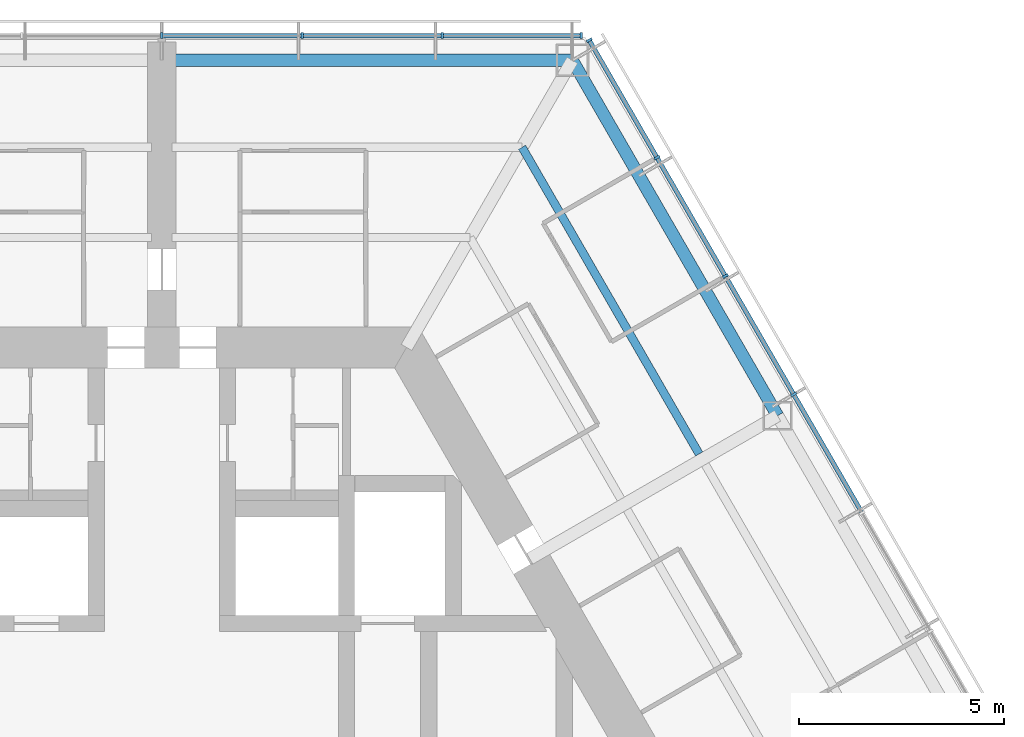
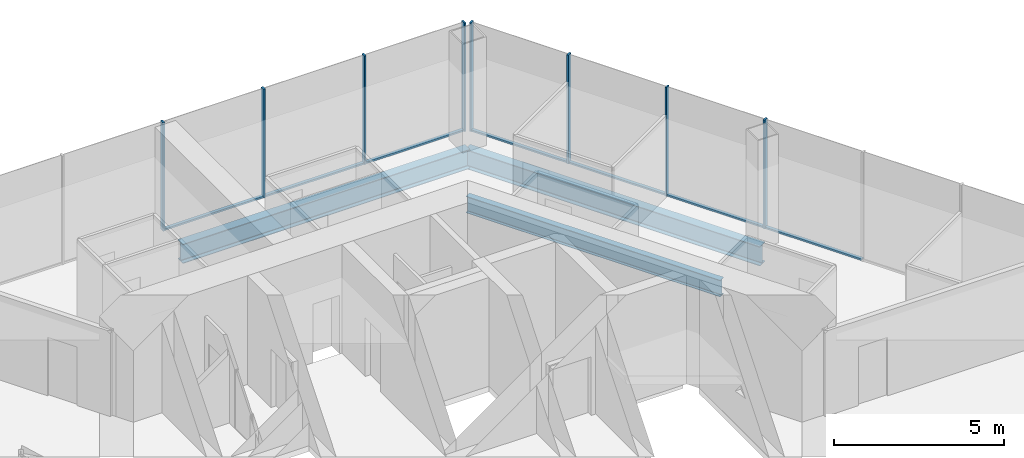
# One storey, part 8 of 19: 15 members, 3 beams, 2 elements without a shape of their own.
"""IFC4 building model written with IfcOpenShell, lengths in metres."""

from ifc_helpers import new_model, si_unit, direction, frame, origin, origin_2d, place, context, subcontext, project, spatial, rectangle, i_section, extrude, material, material_profile, profile_set, type_object, element, aggregate, save


model = new_model("IFC4")

# Units and contexts
model_context = context("Model", 3, precision=1e-05, world=origin(), true_north=direction((0.0, 1.0)))
body_context = subcontext(model_context, "Body", "Model", "MODEL_VIEW")
ifc_project = project(units=[si_unit("LENGTHUNIT", "METRE"), si_unit("AREAUNIT", "SQUARE_METRE"), si_unit("VOLUMEUNIT", "CUBIC_METRE"), si_unit("PLANEANGLEUNIT", "RADIAN"), si_unit("MASSUNIT", "GRAM", prefix="KILO")], contexts=[model_context])

# Site, building, storey
site_placement = place(None, origin())
site = spatial("IfcSite", under=ifc_project, at=site_placement, CompositionType="ELEMENT")
building_placement = place(site_placement, origin())
building = spatial("IfcBuilding", under=site, at=building_placement, Name="Kasaneha Research Tower", CompositionType="ELEMENT")
storey_placement = place(building_placement, frame((0.0, 0.0, 160.39990234375)))
storey = spatial("IfcBuildingStorey", under=building, at=storey_placement, Name="L40", CompositionType="ELEMENT", Elevation=160.39990234375)

# Beam
ifc_material_1 = material(Name="Steel SN490B", Category="steel")
ifc_material_profile_1 = material_profile(ifc_material_1, i_section(OverallWidth=0.199951171875, OverallDepth=0.60009765625, WebThickness=0.010986328125, FlangeThickness=0.01708984375, FilletRadius=0.012939453125, at=origin_2d()), Name="H-600x200x11x17")
ifc_profile_set_1 = profile_set([ifc_material_profile_1], Name="Steel SN490B")
beam_type_1 = type_object("IfcBeamType", Name="B1-3 secondary beam H-600x200x11x17", PredefinedType="JOIST", material=ifc_profile_set_1)
beam_1_placement = place(storey_placement, frame((8.775634765625, 15.199951171875, -0.449951171875), z_axis=(0.500017275495, -0.866015429543, 0.0), x_axis=(0.866015429543, 0.500017275495, 0.0)))
element("IfcBeam", 1, at=beam_1_placement, inside=storey, type_object=beam_type_1, Name="Secondary beam RS030R2 L40", PredefinedType="JOIST", context=body_context, shape_type="SweptSolid", body=[
    extrude(i_section(OverallWidth=0.199951171875, OverallDepth=0.60009765625, WebThickness=0.010986328125, FlangeThickness=0.01708984375, FilletRadius=0.012939453125, at=origin_2d()), origin(), (0.0, 0.0, 1.0), 8.625732421875),
])

# Curtain wall, members
ifc_material_2 = material(Name="Glass and aluminium", Category="aluminium")
curtain_wall_type = type_object("IfcCurtainWallType", Name="Mid-rise office curtain wall", PredefinedType="USERDEFINED", material=ifc_material_2)
curtain_wall_1_placement = place(storey_placement, origin())
curtain_wall_1 = element("IfcCurtainWall", 2, at=curtain_wall_1_placement, inside=storey, type_object=curtain_wall_type, Name="CW-O2 L40 run 06a", ObjectType="UNITISED CURTAIN WALL", PredefinedType="USERDEFINED")
ifc_material_3 = material(Name="Aluminium 6063-T6", Category="aluminium")
ifc_material_profile_2 = material_profile(ifc_material_3, rectangle(XDim=0.06005859375, YDim=0.14990234375, at=origin_2d()), Name="CW-O2 mullion 60x150")
ifc_profile_set_2 = profile_set([ifc_material_profile_2], Name="Aluminium 6063-T6")
member_type_1 = type_object("IfcMemberType", Name="CW-O2 mullion", PredefinedType="MULLION", material=ifc_profile_set_2)
member_1_placement = place(storey_placement, frame((15.392822265625, 9.179931640625, 0.0), z_axis=(0.0, 0.0, 1.0), x_axis=(-0.499999979232, 0.866025415775, 0.0)))
member_1 = element("IfcMember", 3, at=member_1_placement, type_object=member_type_1, Name="CW-O2 mullion 4", PredefinedType="MULLION", context=body_context, shape_type="SweptSolid", body=[
    extrude(rectangle(XDim=0.06005859375, YDim=0.14990234375, at=origin_2d()), origin(), (0.0, 0.0, 1.0), 3.900146484375),
])
member_2_placement = place(storey_placement, frame((13.727294921875, 12.064453125, 0.0), z_axis=(0.0, 0.0, 1.0), x_axis=(-0.499999979232, 0.866025415775, 0.0)))
member_2 = element("IfcMember", 4, at=member_2_placement, type_object=member_type_1, Name="CW-O2 mullion 5", PredefinedType="MULLION", context=body_context, shape_type="SweptSolid", body=[
    extrude(rectangle(XDim=0.06005859375, YDim=0.14990234375, at=origin_2d()), origin(), (0.0, 0.0, 1.0), 3.900146484375),
])
member_3_placement = place(storey_placement, frame((12.061767578125, 14.94921875, 0.0), z_axis=(0.0, 0.0, 1.0), x_axis=(-0.499999979232, 0.866025415775, 0.0)))
member_3 = element("IfcMember", 5, at=member_3_placement, type_object=member_type_1, Name="CW-O2 mullion 6", PredefinedType="MULLION", context=body_context, shape_type="SweptSolid", body=[
    extrude(rectangle(XDim=0.06005859375, YDim=0.14990234375, at=origin_2d()), origin(), (0.0, 0.0, 1.0), 3.900146484375),
])
member_4_placement = place(storey_placement, frame((10.411376953125, 17.807861328125, 0.0), z_axis=(0.0, 0.0, 1.0), x_axis=(-0.499999979232, 0.866025415775, 0.0)))
member_4 = element("IfcMember", 6, at=member_4_placement, type_object=member_type_1, Name="CW-O2 mullion 7", PredefinedType="MULLION", context=body_context, shape_type="SweptSolid", body=[
    extrude(rectangle(XDim=0.06005859375, YDim=0.14990234375, at=origin_2d()), origin(), (0.0, 0.0, 1.0), 3.900146484375),
])

curtain_wall_2_placement = place(storey_placement, origin())
curtain_wall_2 = element("IfcCurtainWall", 7, at=curtain_wall_2_placement, inside=storey, type_object=curtain_wall_type, Name="CW-O2 L40 run 07a", ObjectType="UNITISED CURTAIN WALL", PredefinedType="USERDEFINED")
member_5_placement = place(storey_placement, frame((10.21630859375, 17.92041015625, 0.0), z_axis=(0.0, 0.0, 1.0), x_axis=(-1.0, 0.0, 0.0)))
member_5 = element("IfcMember", 8, at=member_5_placement, type_object=member_type_1, Name="CW-O2 mullion 1", PredefinedType="MULLION", context=body_context, shape_type="SweptSolid", body=[
    extrude(rectangle(XDim=0.06005859375, YDim=0.14990234375, at=origin_2d()), origin(), (0.0, 0.0, 1.0), 3.900146484375),
])
member_6_placement = place(storey_placement, frame((6.8310546875, 17.92041015625, 0.0), z_axis=(0.0, 0.0, 1.0), x_axis=(-1.0, 0.0, 0.0)))
member_6 = element("IfcMember", 9, at=member_6_placement, type_object=member_type_1, Name="CW-O2 mullion 2", PredefinedType="MULLION", context=body_context, shape_type="SweptSolid", body=[
    extrude(rectangle(XDim=0.06005859375, YDim=0.14990234375, at=origin_2d()), origin(), (0.0, 0.0, 1.0), 3.900146484375),
])
member_7_placement = place(storey_placement, frame((3.41552734375, 17.92041015625, 0.0), z_axis=(0.0, 0.0, 1.0), x_axis=(-1.0, 0.0, 0.0)))
member_7 = element("IfcMember", 10, at=member_7_placement, type_object=member_type_1, Name="CW-O2 mullion 3", PredefinedType="MULLION", context=body_context, shape_type="SweptSolid", body=[
    extrude(rectangle(XDim=0.06005859375, YDim=0.14990234375, at=origin_2d()), origin(), (0.0, 0.0, 1.0), 3.900146484375),
])
member_8_placement = place(storey_placement, frame((0.0, 17.92041015625, 0.0), z_axis=(0.0, 0.0, 1.0), x_axis=(-1.0, 0.0, 0.0)))
member_8 = element("IfcMember", 11, at=member_8_placement, type_object=member_type_1, Name="CW-O2 mullion 4", PredefinedType="MULLION", context=body_context, shape_type="SweptSolid", body=[
    extrude(rectangle(XDim=0.06005859375, YDim=0.14990234375, at=origin_2d()), origin(), (0.0, 0.0, 1.0), 3.900146484375),
])

# Member
ifc_material_4 = material(Name="Aluminium 6063-T6", Category="aluminium")
ifc_material_profile_3 = material_profile(ifc_material_4, rectangle(XDim=0.110107421875, YDim=0.06005859375, at=origin_2d()), Name="CW-O2 transom 110x60")
ifc_profile_set_3 = profile_set([ifc_material_profile_3], Name="Aluminium 6063-T6")
member_type_2 = type_object("IfcMemberType", Name="CW-O2 transom", PredefinedType="USERDEFINED", material=ifc_profile_set_3)
member_9_placement = place(storey_placement, frame((17.043212890625, 6.3212890625, 0.030029296875), z_axis=(-0.50003259116, 0.866006586452, 0.0), x_axis=(-0.866006586452, -0.50003259116, 0.0)))
member_9 = element("IfcMember", 12, at=member_9_placement, type_object=member_type_2, Name="CW-O2 transom 3", ObjectType="TRANSOM", PredefinedType="USERDEFINED", context=body_context, shape_type="SweptSolid", body=[
    extrude(rectangle(XDim=0.110107421875, YDim=0.06005859375, at=origin_2d()), origin(), (0.0, 0.0, 1.0), 3.270751953125),
])

member_10_placement = place(storey_placement, frame((15.3779296875, 9.205810546875, 0.030029296875), z_axis=(-0.500000270186, 0.866025247793, 0.0), x_axis=(-0.866025247793, -0.500000270186, 0.0)))
member_10 = element("IfcMember", 13, at=member_10_placement, type_object=member_type_2, Name="CW-O2 transom 4", ObjectType="TRANSOM", PredefinedType="USERDEFINED", context=body_context, shape_type="SweptSolid", body=[
    extrude(rectangle(XDim=0.110107421875, YDim=0.06005859375, at=origin_2d()), origin(), (0.0, 0.0, 1.0), 3.27099609375),
])

member_11_placement = place(storey_placement, frame((13.71240234375, 12.090576171875, 0.030029296875), z_axis=(-0.500000270186, 0.866025247793, 0.0), x_axis=(-0.866025247793, -0.500000270186, 0.0)))
member_11 = element("IfcMember", 14, at=member_11_placement, type_object=member_type_2, Name="CW-O2 transom 5", ObjectType="TRANSOM", PredefinedType="USERDEFINED", context=body_context, shape_type="SweptSolid", body=[
    extrude(rectangle(XDim=0.110107421875, YDim=0.06005859375, at=origin_2d()), origin(), (0.0, 0.0, 1.0), 3.27099609375),
])

member_12_placement = place(storey_placement, frame((12.046875, 14.97509765625, 0.030029296875), z_axis=(-0.499955025697, 0.866051368154, 0.0), x_axis=(-0.866051368154, -0.499955025697, 0.0)))
member_12 = element("IfcMember", 15, at=member_12_placement, type_object=member_type_2, Name="CW-O2 transom 6", ObjectType="TRANSOM", PredefinedType="USERDEFINED", context=body_context, shape_type="SweptSolid", body=[
    extrude(rectangle(XDim=0.110107421875, YDim=0.06005859375, at=origin_2d()), origin(), (0.0, 0.0, 1.0), 3.240966796875),
])

aggregate(curtain_wall_1, [member_1, member_2, member_3, member_4, member_9, member_10, member_11, member_12])

member_13_placement = place(storey_placement, frame((10.1865234375, 17.92041015625, 0.030029296875), z_axis=(-1.0, 0.0, 0.0), x_axis=(0.0, -1.0, 0.0)))
member_13 = element("IfcMember", 16, at=member_13_placement, type_object=member_type_2, Name="CW-O2 transom 1", ObjectType="TRANSOM", PredefinedType="USERDEFINED", context=body_context, shape_type="SweptSolid", body=[
    extrude(rectangle(XDim=0.110107421875, YDim=0.06005859375, at=origin_2d()), origin(), (0.0, 0.0, 1.0), 3.32568359375),
])

member_14_placement = place(storey_placement, frame((6.801025390625, 17.92041015625, 0.030029296875), z_axis=(-1.0, 0.0, 0.0), x_axis=(0.0, -1.0, 0.0)))
member_14 = element("IfcMember", 17, at=member_14_placement, type_object=member_type_2, Name="CW-O2 transom 2", ObjectType="TRANSOM", PredefinedType="USERDEFINED", context=body_context, shape_type="SweptSolid", body=[
    extrude(rectangle(XDim=0.110107421875, YDim=0.06005859375, at=origin_2d()), origin(), (0.0, 0.0, 1.0), 3.35546875),
])

member_15_placement = place(storey_placement, frame((3.385498046875, 17.92041015625, 0.030029296875), z_axis=(-1.0, 0.0, 0.0), x_axis=(0.0, -1.0, 0.0)))
member_15 = element("IfcMember", 18, at=member_15_placement, type_object=member_type_2, Name="CW-O2 transom 3", ObjectType="TRANSOM", PredefinedType="USERDEFINED", context=body_context, shape_type="SweptSolid", body=[
    extrude(rectangle(XDim=0.110107421875, YDim=0.06005859375, at=origin_2d()), origin(), (0.0, 0.0, 1.0), 3.35546875),
])

aggregate(curtain_wall_2, [member_5, member_6, member_7, member_8, member_13, member_14, member_15])

# Beams
ifc_material_5 = material(Name="Steel SN490B", Category="steel")
ifc_material_profile_4 = material_profile(ifc_material_5, i_section(OverallWidth=0.300048828125, OverallDepth=0.69189453125, WebThickness=0.012939453125, FlangeThickness=0.02001953125, FilletRadius=0.01806640625, at=origin_2d()), Name="H-692x300x13x20")
ifc_profile_set_4 = profile_set([ifc_material_profile_4], Name="Steel SN490B")
beam_type_2 = type_object("IfcBeamType", Name="G3-3 plate edge girder H-692x300x13x20", PredefinedType="BEAM", material=ifc_profile_set_4)
beam_2_placement = place(storey_placement, frame((10.0, 17.320556640625, -0.495849609375), z_axis=(-1.0, 0.0, 0.0), x_axis=(0.0, -1.0, 0.0)))
element("IfcBeam", 19, at=beam_2_placement, inside=storey, type_object=beam_type_2, Name="Plate edge girder PEAP L40", PredefinedType="BEAM", context=body_context, shape_type="SweptSolid", body=[
    extrude(i_section(OverallWidth=0.300048828125, OverallDepth=0.69189453125, WebThickness=0.012939453125, FlangeThickness=0.02001953125, FilletRadius=0.01806640625, at=origin_2d()), origin(), (0.0, 0.0, 1.0), 9.75),
])
ifc_material_6 = material(Name="Steel SN490B", Category="steel")
ifc_material_profile_5 = material_profile(ifc_material_6, i_section(OverallWidth=0.300048828125, OverallDepth=0.69189453125, WebThickness=0.012939453125, FlangeThickness=0.02001953125, FilletRadius=0.01806640625, at=origin_2d()), Name="H-692x300x13x20")
ifc_profile_set_5 = profile_set([ifc_material_profile_5], Name="Steel SN490B")
beam_type_3 = type_object("IfcBeamType", Name="SB1-3 spandrel beam H-692x300x13x20", PredefinedType="SPANDREL", material=ifc_profile_set_5)
beam_3_placement = place(storey_placement, frame((10.0, 17.320556640625, -0.495849609375), z_axis=(0.499993662806, -0.866029062534, 0.0), x_axis=(0.866029062534, 0.499993662806, 0.0)))
element("IfcBeam", 20, at=beam_3_placement, inside=storey, type_object=beam_type_3, Name="Spandrel beam SR030R L40", PredefinedType="SPANDREL", context=body_context, shape_type="SweptSolid", body=[
    extrude(i_section(OverallWidth=0.300048828125, OverallDepth=0.69189453125, WebThickness=0.012939453125, FlangeThickness=0.02001953125, FilletRadius=0.01806640625, at=origin_2d()), origin(), (0.0, 0.0, 1.0), 10.000244140625),
])

save(model, "model.ifc")
